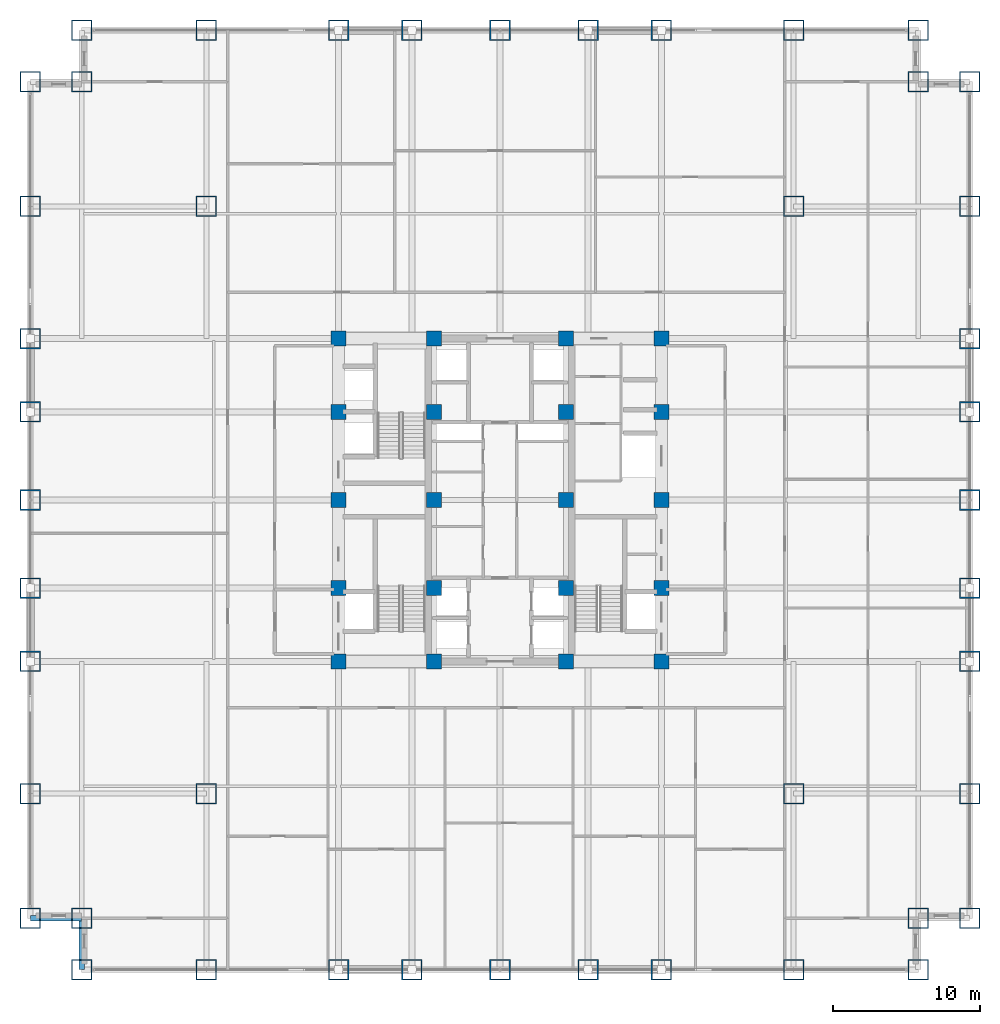
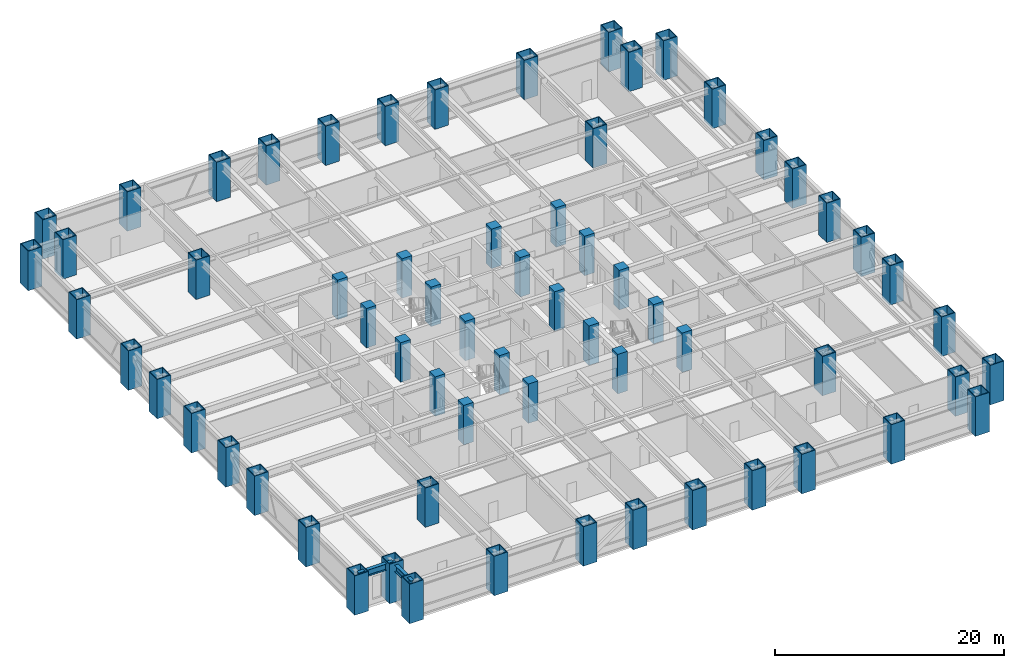
# One storey, part 1 of 28: 64 columns, 2 beams.
"""IFC4 building model written with IfcOpenShell, lengths in metres."""

from ifc_helpers import new_model, si_unit, direction, frame, origin, origin_2d, place, context, subcontext, project, spatial, rectangle, hollow_rectangle, i_section, extrude, source, transform, mapped, material, material_profile, profile_set, type_object, element, save


model = new_model("IFC4")

# Units and contexts
model_context = context("Model", 3, precision=1e-05, world=origin(), true_north=direction((0.0, 1.0)))
body_context = subcontext(model_context, "Body", "Model", "MODEL_VIEW")
ifc_project = project(units=[si_unit("LENGTHUNIT", "METRE"), si_unit("AREAUNIT", "SQUARE_METRE"), si_unit("VOLUMEUNIT", "CUBIC_METRE"), si_unit("PLANEANGLEUNIT", "RADIAN"), si_unit("MASSUNIT", "GRAM", prefix="KILO")], contexts=[model_context])

# Site, building, storey
site_placement = place(None, origin())
site = spatial("IfcSite", under=ifc_project, at=site_placement, CompositionType="ELEMENT")
building_placement = place(site_placement, origin())
building = spatial("IfcBuilding", under=site, at=building_placement, Name="Khorayat Bourse Tower", CompositionType="ELEMENT")
storey_placement = place(building_placement, frame((0.0, 0.0, 83.0)))
storey = spatial("IfcBuildingStorey", under=building, at=storey_placement, Name="L18", CompositionType="ELEMENT", Elevation=83.0)

# Columns
ifc_material_1 = material(Name="Steel EN 10025-4 S460M", Category="steel")
ifc_material_profile_1 = material_profile(ifc_material_1, hollow_rectangle(XDim=1.39990234375, YDim=1.39990234375, WallThickness=0.074951171875, at=origin_2d()), Name="BOX 1400x1400x75")
ifc_profile_set_1 = profile_set([ifc_material_profile_1], Name="Steel EN 10025-4 S460M")
column_type_1 = type_object("IfcColumnType", Name="COL-TUBE-1400", PredefinedType="COLUMN", material=ifc_profile_set_1)
shared_shape_1 = source(origin(), body_context, "Body", "SweptSolid", [
    extrude(hollow_rectangle(XDim=1.39990234375, YDim=1.39990234375, WallThickness=0.074951171875, at=origin_2d()), origin(), (0.0, 0.0, 1.0), 4.199951171875),
])
for number, where, z_axis, x_axis, name in (
    (1, (-32.0, -28.5, 0.0), (0.0, 0.0, 1.0), (1.0, 0.0, 0.0), "L18 Column 001"),
    (2, (-32.0, -20.0, 0.0), (0.0, 0.0, 1.0), (1.0, 0.0, 0.0), "L18 Column 002"),
    (3, (-32.0, -11.0, 0.0), (0.0, 0.0, 1.0), (1.0, 0.0, 0.0), "L18 Column 003"),
    (4, (-32.0, -6.0, 0.0), (0.0, 0.0, 1.0), (1.0, 0.0, 0.0), "L18 Column 004"),
    (5, (-32.0, 0.0, 0.0), (0.0, 0.0, 1.0), (1.0, 0.0, 0.0), "L18 Column 005"),
    (6, (-32.0, 6.0, 0.0), (0.0, 0.0, 1.0), (1.0, 0.0, 0.0), "L18 Column 006"),
    (7, (-32.0, 11.0, 0.0), (0.0, 0.0, 1.0), (1.0, 0.0, 0.0), "L18 Column 007"),
    (8, (-32.0, 20.0, 0.0), (0.0, 0.0, 1.0), (1.0, 0.0, 0.0), "L18 Column 008"),
    (9, (-32.0, 28.5, 0.0), (0.0, 0.0, 1.0), (1.0, 0.0, 0.0), "L18 Column 009"),
    (10, (-28.5, -32.0, 0.0), (0.0, 0.0, 1.0), (1.0, 0.0, 0.0), "L18 Column 010"),
    (11, (-28.5, -28.5, 0.0), (0.0, 0.0, 1.0), (1.0, 0.0, 0.0), "L18 Column 011"),
    (12, (-28.5, 28.5, 0.0), (0.0, 0.0, 1.0), (1.0, 0.0, 0.0), "L18 Column 012"),
    (13, (-28.5, 32.0, 0.0), (0.0, 0.0, 1.0), (1.0, 0.0, 0.0), "L18 Column 013"),
    (14, (-20.0, -32.0, 0.0), (0.0, 0.0, 1.0), (1.0, 0.0, 0.0), "L18 Column 014"),
    (15, (-20.0, -20.0, 0.0), (0.0, 0.0, 1.0), (1.0, 0.0, 0.0), "L18 Column 015"),
    (16, (-20.0, 20.0, 0.0), (0.0, 0.0, 1.0), (1.0, 0.0, 0.0), "L18 Column 016"),
    (17, (-20.0, 32.0, 0.0), (0.0, 0.0, 1.0), (1.0, 0.0, 0.0), "L18 Column 017"),
    (18, (-11.0, -32.0, 0.0), (0.0, 0.0, 1.0), (1.0, 0.0, 0.0), "L18 Column 018"),
    (19, (-11.0, 32.0, 0.0), (0.0, 0.0, 1.0), (1.0, 0.0, 0.0), "L18 Column 024"),
    (20, (-6.0, -32.0, 0.0), (0.0, 0.0, 1.0), (1.0, 0.0, 0.0), "L18 Column 025"),
    (21, (-6.0, 32.0, 0.0), (0.0, 0.0, 1.0), (1.0, 0.0, 0.0), "L18 Column 026"),
    (22, (0.0, -32.0, 0.0), (0.0, 0.0, 1.0), (1.0, 0.0, 0.0), "L18 Column 032"),
    (23, (0.0, 32.0, 0.0), (0.0, 0.0, 1.0), (1.0, 0.0, 0.0), "L18 Column 033"),
    (24, (6.0, -32.0, 0.0), (0.0, 0.0, 1.0), (1.0, 0.0, 0.0), "L18 Column 039"),
    (25, (6.0, 32.0, 0.0), (0.0, 0.0, 1.0), (1.0, 0.0, 0.0), "L18 Column 040"),
    (26, (11.0, -32.0, 0.0), (0.0, 0.0, 1.0), (1.0, 0.0, 0.0), "L18 Column 041"),
    (27, (11.0, 32.0, 0.0), (0.0, 0.0, 1.0), (1.0, 0.0, 0.0), "L18 Column 047"),
    (28, (20.0, -32.0, 0.0), (0.0, 0.0, 1.0), (1.0, 0.0, 0.0), "L18 Column 048"),
    (29, (20.0, -20.0, 0.0), (0.0, 0.0, 1.0), (1.0, 0.0, 0.0), "L18 Column 049"),
    (30, (20.0, 20.0, 0.0), (0.0, 0.0, 1.0), (1.0, 0.0, 0.0), "L18 Column 050"),
    (31, (20.0, 32.0, 0.0), (0.0, 0.0, 1.0), (1.0, 0.0, 0.0), "L18 Column 051"),
    (32, (28.5, -32.0, 0.0), (0.0, 0.0, 1.0), (1.0, 0.0, 0.0), "L18 Column 052"),
    (33, (28.5, -28.5, 0.0), (0.0, 0.0, 1.0), (1.0, 0.0, 0.0), "L18 Column 053"),
    (34, (28.5, 28.5, 0.0), (0.0, 0.0, 1.0), (1.0, 0.0, 0.0), "L18 Column 054"),
    (35, (28.5, 32.0, 0.0), (0.0, 0.0, 1.0), (1.0, 0.0, 0.0), "L18 Column 055"),
    (36, (32.0, -28.5, 0.0), (0.0, 0.0, 1.0), (1.0, 0.0, 0.0), "L18 Column 056"),
    (37, (32.0, -20.0, 0.0), (0.0, 0.0, 1.0), (1.0, 0.0, 0.0), "L18 Column 057"),
    (38, (32.0, -11.0, 0.0), (0.0, 0.0, 1.0), (1.0, 0.0, 0.0), "L18 Column 058"),
    (39, (32.0, -6.0, 0.0), (0.0, 0.0, 1.0), (1.0, 0.0, 0.0), "L18 Column 059"),
    (40, (32.0, 0.0, 0.0), (0.0, 0.0, 1.0), (1.0, 0.0, 0.0), "L18 Column 060"),
    (41, (32.0, 6.0, 0.0), (0.0, 0.0, 1.0), (1.0, 0.0, 0.0), "L18 Column 061"),
    (42, (32.0, 11.0, 0.0), (0.0, 0.0, 1.0), (1.0, 0.0, 0.0), "L18 Column 062"),
    (43, (32.0, 20.0, 0.0), (0.0, 0.0, 1.0), (1.0, 0.0, 0.0), "L18 Column 063"),
    (44, (32.0, 28.5, 0.0), (0.0, 0.0, 1.0), (1.0, 0.0, 0.0), "L18 Column 064"),
):
    element("IfcColumn", number, at=place(storey_placement, frame(where, z_axis=z_axis, x_axis=x_axis)), inside=storey, type_object=column_type_1, Name=name, PredefinedType="COLUMN", context=body_context, shape_type="MappedRepresentation", body=[
        mapped(shared_shape_1, transform((0.0, 0.0, 0.0), scale=1.0)),
    ])
ifc_material_2 = material(Name="Concrete C72/90", Category="concrete")
ifc_material_profile_2 = material_profile(ifc_material_2, rectangle(XDim=1.0, YDim=1.0, at=origin_2d()), Name="RC 1000x1000")
ifc_profile_set_2 = profile_set([ifc_material_profile_2], Name="Concrete C72/90")
column_type_2 = type_object("IfcColumnType", Name="COL-CORE-1000", PredefinedType="COLUMN", material=ifc_profile_set_2)
shared_shape_2 = source(origin(), body_context, "Body", "SweptSolid", [
    extrude(rectangle(XDim=1.0, YDim=1.0, at=origin_2d()), origin(), (0.0, 0.0, 1.0), 4.199951171875),
])
for number, where, z_axis, x_axis, name in (
    (45, (-11.0, -11.0, 0.0), (0.0, 0.0, 1.0), (1.0, 0.0, 0.0), "L18 Column 019"),
    (46, (-11.0, -6.0, 0.0), (0.0, 0.0, 1.0), (1.0, 0.0, 0.0), "L18 Column 020"),
    (47, (-11.0, 0.0, 0.0), (0.0, 0.0, 1.0), (1.0, 0.0, 0.0), "L18 Column 021"),
    (48, (-11.0, 6.0, 0.0), (0.0, 0.0, 1.0), (1.0, 0.0, 0.0), "L18 Column 022"),
    (49, (-11.0, 11.0, 0.0), (0.0, 0.0, 1.0), (1.0, 0.0, 0.0), "L18 Column 023"),
    (50, (-4.5, -11.0, 0.0), (0.0, 0.0, 1.0), (1.0, 0.0, 0.0), "L18 Column 027"),
    (51, (-4.5, -6.0, 0.0), (0.0, 0.0, 1.0), (1.0, 0.0, 0.0), "L18 Column 028"),
    (52, (-4.5, 0.0, 0.0), (0.0, 0.0, 1.0), (1.0, 0.0, 0.0), "L18 Column 029"),
    (53, (-4.5, 6.0, 0.0), (0.0, 0.0, 1.0), (1.0, 0.0, 0.0), "L18 Column 030"),
    (54, (-4.5, 11.0, 0.0), (0.0, 0.0, 1.0), (1.0, 0.0, 0.0), "L18 Column 031"),
    (55, (4.5, -11.0, 0.0), (0.0, 0.0, 1.0), (1.0, 0.0, 0.0), "L18 Column 034"),
    (56, (4.5, -6.0, 0.0), (0.0, 0.0, 1.0), (1.0, 0.0, 0.0), "L18 Column 035"),
    (57, (4.5, 0.0, 0.0), (0.0, 0.0, 1.0), (1.0, 0.0, 0.0), "L18 Column 036"),
    (58, (4.5, 6.0, 0.0), (0.0, 0.0, 1.0), (1.0, 0.0, 0.0), "L18 Column 037"),
    (59, (4.5, 11.0, 0.0), (0.0, 0.0, 1.0), (1.0, 0.0, 0.0), "L18 Column 038"),
    (60, (11.0, -11.0, 0.0), (0.0, 0.0, 1.0), (1.0, 0.0, 0.0), "L18 Column 042"),
    (61, (11.0, -6.0, 0.0), (0.0, 0.0, 1.0), (1.0, 0.0, 0.0), "L18 Column 043"),
    (62, (11.0, 0.0, 0.0), (0.0, 0.0, 1.0), (1.0, 0.0, 0.0), "L18 Column 044"),
    (63, (11.0, 6.0, 0.0), (0.0, 0.0, 1.0), (1.0, 0.0, 0.0), "L18 Column 045"),
    (64, (11.0, 11.0, 0.0), (0.0, 0.0, 1.0), (1.0, 0.0, 0.0), "L18 Column 046"),
):
    element("IfcColumn", number, at=place(storey_placement, frame(where, z_axis=z_axis, x_axis=x_axis)), inside=storey, type_object=column_type_2, Name=name, PredefinedType="COLUMN", context=body_context, shape_type="MappedRepresentation", body=[
        mapped(shared_shape_2, transform((0.0, 0.0, 0.0), scale=1.0)),
    ])

# Beams
ifc_material_3 = material(Name="Steel ASTM A992 Grade 50", Category="steel")
ifc_material_profile_3 = material_profile(ifc_material_3, i_section(OverallWidth=0.35498046875, OverallDepth=0.695068359375, WebThickness=0.015380859375, FlangeThickness=0.02490234375, FilletRadius=0.01806640625, at=origin_2d()), Name="W690X217")
ifc_profile_set_3 = profile_set([ifc_material_profile_3], Name="Steel ASTM A992 Grade 50")
beam_type = type_object("IfcBeamType", Name="BM-SPAN-690", PredefinedType="SPANDREL", material=ifc_profile_set_3)
shared_shape_3 = source(origin(), body_context, "Body", "SweptSolid", [
    extrude(i_section(OverallWidth=0.35498046875, OverallDepth=0.695068359375, WebThickness=0.015380859375, FlangeThickness=0.02490234375, FilletRadius=0.01806640625, at=origin_2d()), origin(), (0.0, 0.0, 1.0), 3.5),
])
for number, where, z_axis, x_axis, name in (
    (65, (-32.0, -28.5, 3.592529296875), (1.0, 0.0, 0.0), (0.0, 1.0, 0.0), "L18 BM-SPAN-690 BM-L18-SPN-062"),
    (66, (-28.5, -32.0, 3.592529296875), (0.0, 1.0, 0.0), (-1.0, 0.0, 0.0), "L18 BM-SPAN-690 BM-L18-SPN-063"),
):
    element("IfcBeam", number, at=place(storey_placement, frame(where, z_axis=z_axis, x_axis=x_axis)), inside=storey, type_object=beam_type, Name=name, PredefinedType="SPANDREL", context=body_context, shape_type="MappedRepresentation", body=[
        mapped(shared_shape_3, transform((0.0, 0.0, 0.0), scale=1.0)),
    ])

save(model, "model.ifc")
